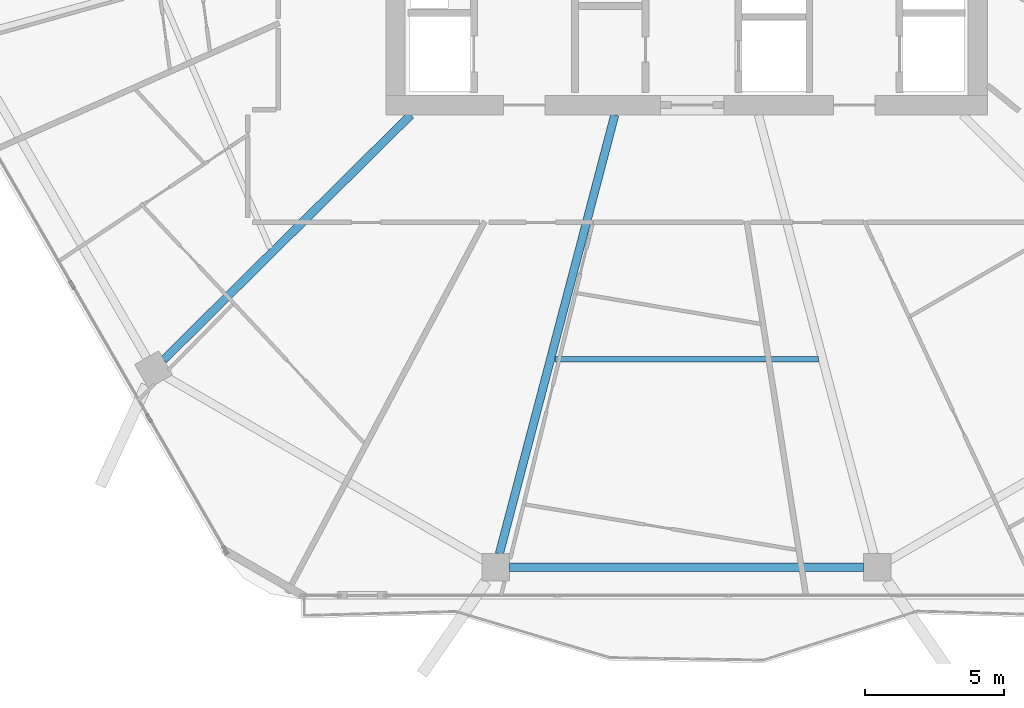
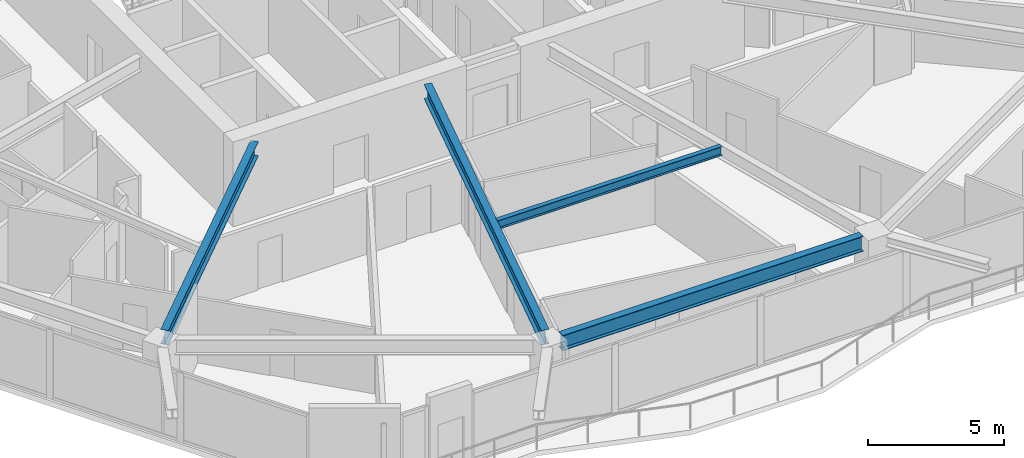
# One storey, part 4 of 27: 4 beams.
"""IFC4 building model written with IfcOpenShell, lengths in metres."""

from ifc_helpers import new_model, si_unit, direction, frame, origin, origin_2d, place, context, subcontext, project, spatial, i_section, extrude, material, material_profile, profile_set, type_object, element, save


model = new_model("IFC4")

# Units and contexts
model_context = context("Model", 3, precision=1e-05, world=origin(), true_north=direction((0.0, 1.0)))
body_context = subcontext(model_context, "Body", "Model", "MODEL_VIEW")
ifc_project = project(units=[si_unit("LENGTHUNIT", "METRE"), si_unit("AREAUNIT", "SQUARE_METRE"), si_unit("VOLUMEUNIT", "CUBIC_METRE"), si_unit("PLANEANGLEUNIT", "RADIAN"), si_unit("MASSUNIT", "GRAM", prefix="KILO")], contexts=[model_context])

# Site, building, storey
site_placement = place(None, origin())
site = spatial("IfcSite", under=ifc_project, at=site_placement, CompositionType="ELEMENT")
building_placement = place(site_placement, origin())
building = spatial("IfcBuilding", under=site, at=building_placement, Name="Zuhravey Tower", CompositionType="ELEMENT")
storey_placement = place(building_placement, frame((0.0, 0.0, 173.199951171875)))
storey = spatial("IfcBuildingStorey", under=building, at=storey_placement, Name="L43", CompositionType="ELEMENT", Elevation=173.199951171875)

# Beams
ifc_material = material(Name="Steel SM355", Category="steel")
ifc_material_profile_1 = material_profile(ifc_material, i_section(OverallWidth=0.300048828125, OverallDepth=0.679931640625, WebThickness=0.012939453125, FlangeThickness=0.02197265625, at=origin_2d()), Name="H-680x300x13x22")
ifc_profile_set_1 = profile_set([ifc_material_profile_1], Name="Steel SM355")
beam_type_1 = type_object("IfcBeamType", Name="Perimeter Ring Beam H680x300", PredefinedType="BEAM", material=ifc_profile_set_1)
beam_1_placement = place(storey_placement, frame((29.62109375, 5.826904296875, 3.2099609375), z_axis=(1.0, 0.0, 0.0), x_axis=(0.0, 1.0, 0.0)))
element("IfcBeam", 1, at=beam_1_placement, inside=storey, type_object=beam_type_1, Name="L43 PB2 BM-L43-PB-09", PredefinedType="BEAM", context=body_context, shape_type="SweptSolid", body=[
    extrude(i_section(OverallWidth=0.300048828125, OverallDepth=0.679931640625, WebThickness=0.012939453125, FlangeThickness=0.02197265625, at=origin_2d()), origin(), (0.0, 0.0, 1.0), 12.7578125),
])
ifc_material_profile_2 = material_profile(ifc_material, i_section(OverallWidth=0.300048828125, OverallDepth=0.64990234375, WebThickness=0.012939453125, FlangeThickness=0.02197265625, at=origin_2d()), Name="H-650x300x13x22")
ifc_profile_set_2 = profile_set([ifc_material_profile_2], Name="Steel SM355")
beam_type_2 = type_object("IfcBeamType", Name="Radial Primary Girder H650x300", PredefinedType="BEAM", material=ifc_profile_set_2)
beam_2_placement = place(storey_placement, frame((26.054443359375, 22.14697265625, 3.22509765625), z_axis=(-0.71040353357, -0.703794586148, 0.0), x_axis=(0.703794586148, -0.71040353357, 0.0)))
element("IfcBeam", 2, at=beam_2_placement, inside=storey, type_object=beam_type_2, Name="L43 RG2 BM-L43-RAD-08", PredefinedType="BEAM", context=body_context, shape_type="SweptSolid", body=[
    extrude(i_section(OverallWidth=0.300048828125, OverallDepth=0.64990234375, WebThickness=0.012939453125, FlangeThickness=0.02197265625, at=origin_2d()), origin(), (0.0, 0.0, 1.0), 12.559814453125),
])
beam_3_placement = place(storey_placement, frame((33.4091796875, 22.14697265625, 3.22509765625), z_axis=(-0.254300244998, -0.967125320418, 0.0), x_axis=(0.967125320418, -0.254300244998, 0.0)))
element("IfcBeam", 3, at=beam_3_placement, inside=storey, type_object=beam_type_2, Name="L43 RG2 BM-L43-RAD-09", PredefinedType="BEAM", context=body_context, shape_type="SweptSolid", body=[
    extrude(i_section(OverallWidth=0.300048828125, OverallDepth=0.64990234375, WebThickness=0.012939453125, FlangeThickness=0.02197265625, at=origin_2d()), origin(), (0.0, 0.0, 1.0), 16.371826171875),
])
ifc_material_profile_3 = material_profile(ifc_material, i_section(OverallWidth=0.199951171875, OverallDepth=0.39990234375, WebThickness=0.008056640625, FlangeThickness=0.012939453125, at=origin_2d()), Name="H-400x200x8x13")
ifc_profile_set_3 = profile_set([ifc_material_profile_3], Name="Steel SM355")
beam_type_3 = type_object("IfcBeamType", Name="Secondary Floor Joist H400x200", PredefinedType="JOIST", material=ifc_profile_set_3)
beam_4_placement = place(storey_placement, frame((31.245849609375, 13.334228515625, 3.35009765625), z_axis=(1.0, 0.0, 0.0), x_axis=(0.0, 1.0, 0.0)))
element("IfcBeam", 4, at=beam_4_placement, inside=storey, type_object=beam_type_3, Name="L43 SJ2 BM-L43-SJ-09-1", PredefinedType="JOIST", context=body_context, shape_type="SweptSolid", body=[
    extrude(i_section(OverallWidth=0.199951171875, OverallDepth=0.39990234375, WebThickness=0.008056640625, FlangeThickness=0.012939453125, at=origin_2d()), origin(), (0.0, 0.0, 1.0), 9.50830078125),
])

save(model, "model.ifc")
